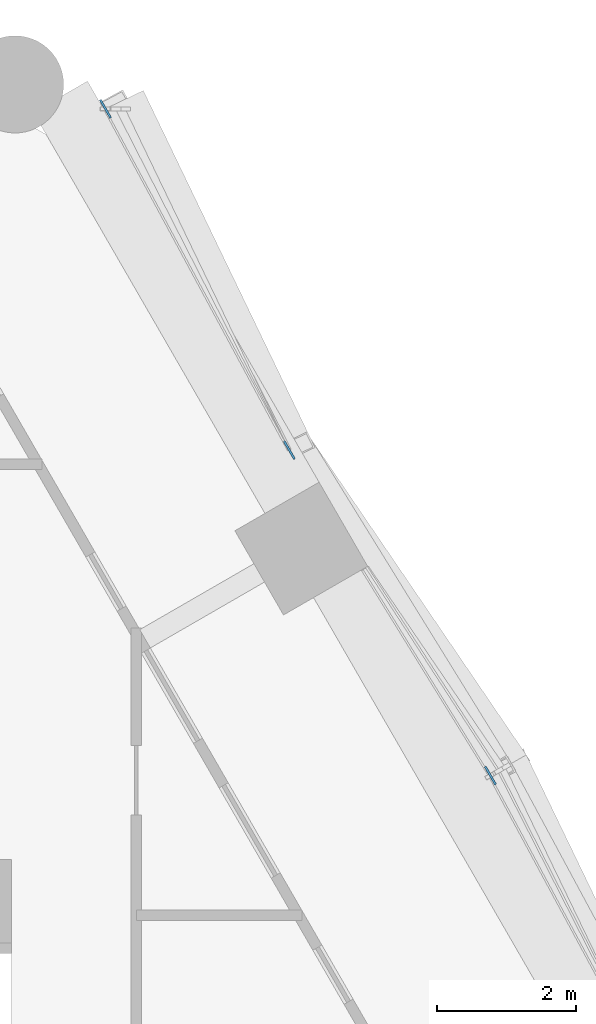
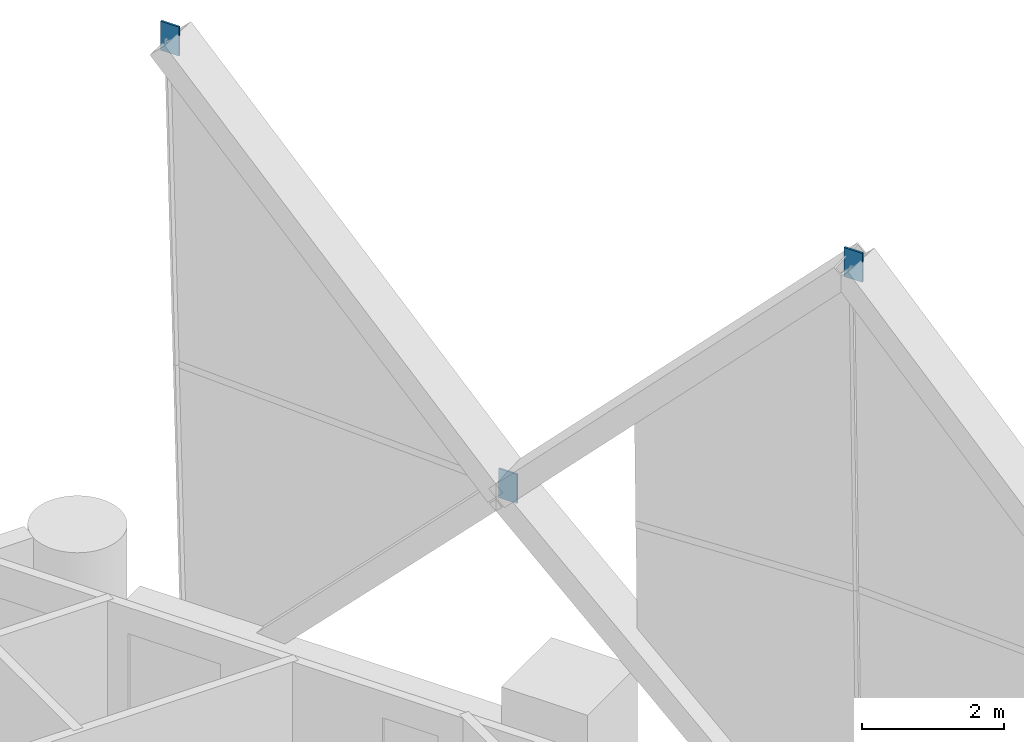
# One storey, part 21 of 22: 3 discrete accessories.
"""IFC4 building model written with IfcOpenShell, lengths in metres."""

from ifc_helpers import new_model, si_unit, direction, frame, origin, origin_2d, place, context, subcontext, project, spatial, rectangle, extrude, material, layer, layer_set, type_object, element, save


model = new_model("IFC4")

# Units and contexts
model_context = context("Model", 3, precision=1e-05, world=origin(), true_north=direction((0.0, 1.0)))
body_context = subcontext(model_context, "Body", "Model", "MODEL_VIEW")
ifc_project = project(units=[si_unit("LENGTHUNIT", "METRE"), si_unit("AREAUNIT", "SQUARE_METRE"), si_unit("VOLUMEUNIT", "CUBIC_METRE"), si_unit("PLANEANGLEUNIT", "RADIAN"), si_unit("MASSUNIT", "GRAM", prefix="KILO")], contexts=[model_context])

# Site, building, storey
site_placement = place(None, origin())
site = spatial("IfcSite", under=ifc_project, at=site_placement, CompositionType="ELEMENT")
building_placement = place(site_placement, origin())
building = spatial("IfcBuilding", under=site, at=building_placement, Name="Ostrander Bayou Hotel Tower", CompositionType="ELEMENT")
storey_placement = place(building_placement, frame((0.0, 0.0, 35.5)))
storey = spatial("IfcBuildingStorey", under=building, at=storey_placement, Name="L08", CompositionType="ELEMENT", Elevation=35.5)

# Discrete accessories
ifc_material = material(Name="Steel ASTM A572 Gr 50", Category="steel")
ifc_layer = layer(ifc_material, 0.030029296875)
ifc_layer_set = layer_set([ifc_layer], Name="GP1 gusset plate 30 mm")
discrete_accessory_type = type_object("IfcDiscreteAccessoryType", Name="GP1 gusset plate 30 mm", PredefinedType="BRACKET", material=ifc_layer_set)
for number, where, z_axis, x_axis, name in (
    (1, (18.900634765625, 10.912353515625, 10.39990234375), (0.0, 0.0, 1.0), (-0.5, 0.866025403784, 0.0), "GP1 gusset plate lat 88"),
    (2, (16.0029296875, 15.6025390625, 4.77490234375), (0.0, 0.0, 1.0), (-0.5, 0.866025403784, 0.0), "GP1 gusset plate lat 89"),
    (3, (13.3544921875, 20.5185546875, 10.39990234375), (0.0, 0.0, 1.0), (-0.5, 0.866025403784, 0.0), "GP1 gusset plate lat 90"),
):
    element("IfcDiscreteAccessory", number, at=place(storey_placement, frame(where, z_axis=z_axis, x_axis=x_axis)), inside=storey, type_object=discrete_accessory_type, Name=name, PredefinedType="BRACKET", context=body_context, shape_type="SweptSolid", body=[
        extrude(rectangle(XDim=0.300048828125, YDim=0.030029296875, at=origin_2d()), origin(), (0.0, 0.0, 1.0), 0.5),
    ])

save(model, "model.ifc")
